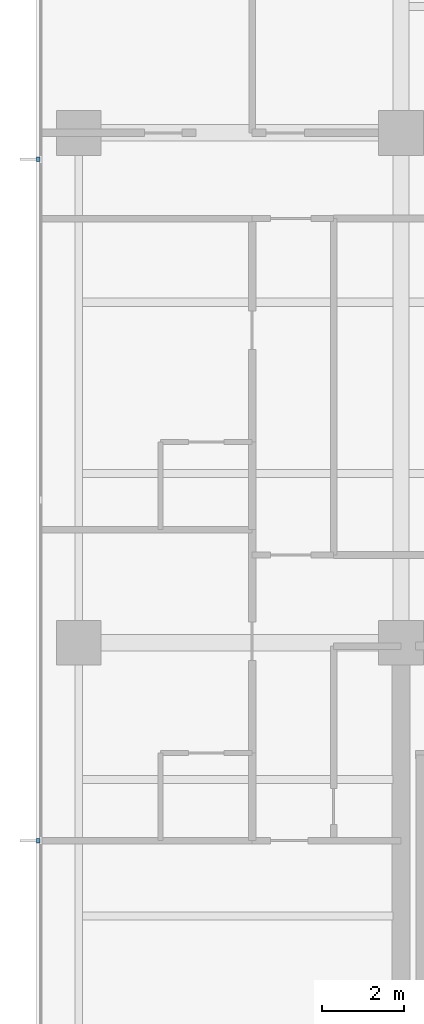
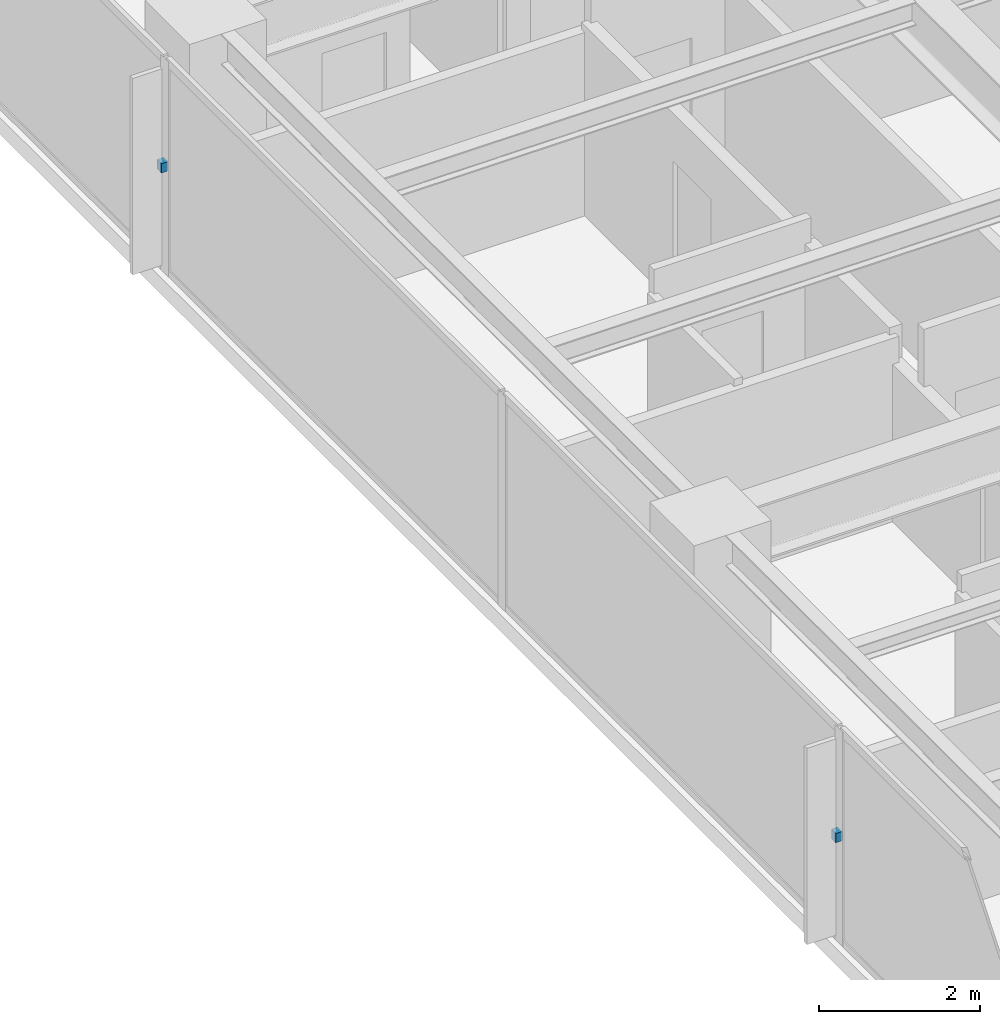
# One storey, part 11 of 15: 2 discrete accessories.
"""IFC4 building model written with IfcOpenShell, lengths in metres."""

from ifc_helpers import new_model, si_unit, direction, frame, origin, place, context, subcontext, project, spatial, polyline, outline, extrude, material, type_object, element, save


model = new_model("IFC4")

# Units and contexts
model_context = context("Model", 3, precision=1e-05, world=origin(), true_north=direction((0.0, 1.0)))
body_context = subcontext(model_context, "Body", "Model", "MODEL_VIEW")
ifc_project = project(units=[si_unit("LENGTHUNIT", "METRE"), si_unit("AREAUNIT", "SQUARE_METRE"), si_unit("VOLUMEUNIT", "CUBIC_METRE"), si_unit("PLANEANGLEUNIT", "RADIAN"), si_unit("MASSUNIT", "GRAM", prefix="KILO")], contexts=[model_context])

# Site, building, storey
site_placement = place(None, origin())
site = spatial("IfcSite", under=ifc_project, at=site_placement, CompositionType="ELEMENT")
building_placement = place(site_placement, origin())
building = spatial("IfcBuilding", under=site, at=building_placement, Name="Qalmaran Belvedere Hotel", CompositionType="ELEMENT")
storey_placement = place(building_placement, frame((0.0, 0.0, 159.60009765625)))
storey = spatial("IfcBuildingStorey", under=building, at=storey_placement, Name="L40", CompositionType="ELEMENT", Elevation=159.60009765625)

# Discrete accessories
ifc_material = material(Name="Stainless Steel 1.4401", Category="steel")
discrete_accessory_type = type_object("IfcDiscreteAccessoryType", Name="BRK-FIN-SS316", PredefinedType="BRACKET", material=ifc_material)
discrete_accessory_1_placement = place(storey_placement, frame((0.0, 0.0, 1.574951171875)))
element("IfcDiscreteAccessory", 1, at=discrete_accessory_1_placement, inside=storey, type_object=discrete_accessory_type, Name="L40 Fin Bracket 1", PredefinedType="BRACKET", context=body_context, shape_type="SweptSolid", body=[
    extrude(outline(polyline([(11.455078125, 32.405029296875), (11.360107421875, 32.405029296875), (11.360107421875, 32.294921875), (11.455078125, 32.294921875), (11.455078125, 32.405029296875)])), origin(), (0.0, 0.0, 1.0), 0.139892578125),
])
discrete_accessory_2_placement = place(storey_placement, frame((0.0, 0.0, 1.574951171875)))
element("IfcDiscreteAccessory", 2, at=discrete_accessory_2_placement, inside=storey, type_object=discrete_accessory_type, Name="L40 Fin Bracket 3", PredefinedType="BRACKET", context=body_context, shape_type="SweptSolid", body=[
    extrude(outline(polyline([(11.455078125, 15.705078125), (11.360107421875, 15.705078125), (11.360107421875, 15.594970703125), (11.455078125, 15.594970703125), (11.455078125, 15.705078125)])), origin(), (0.0, 0.0, 1.0), 0.139892578125),
])

save(model, "model.ifc")
